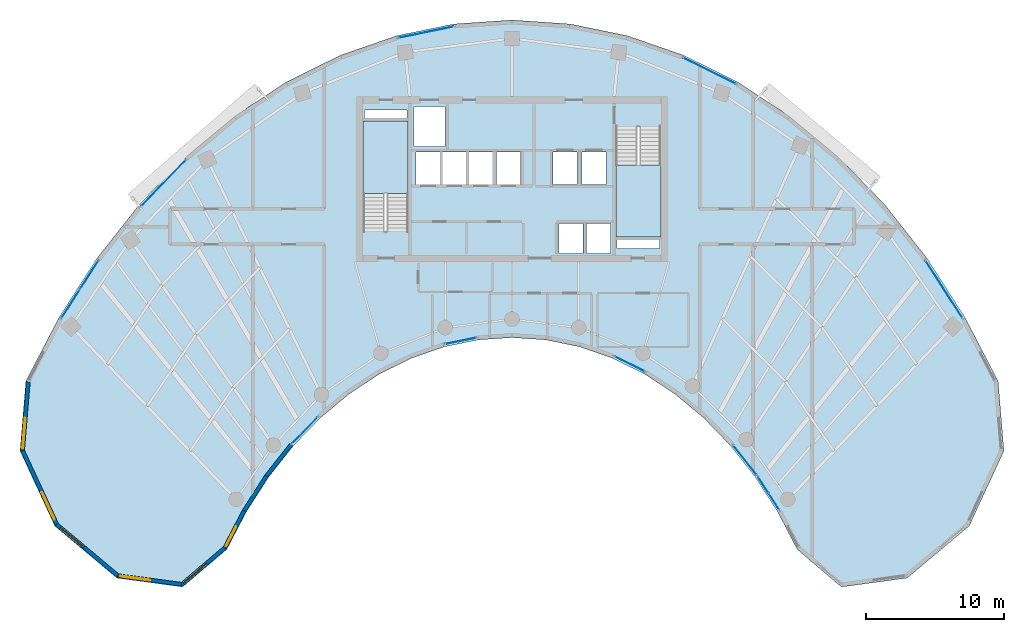
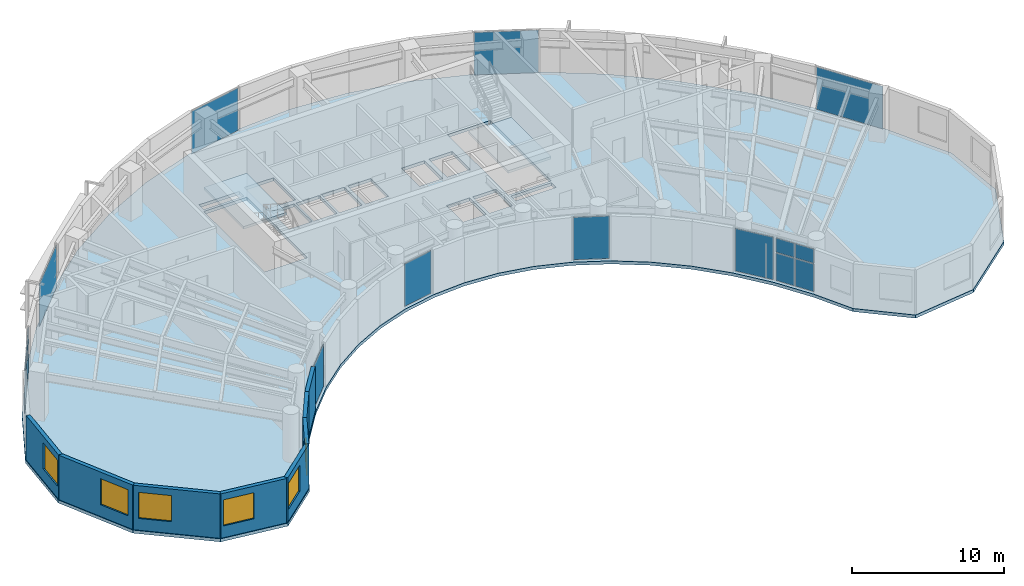
# One storey, part 7 of 13: 16 plates, 8 walls, 6 windows, 3 slabs, 6 openings, 12 elements without a shape of their own.
"""IFC4 building model written with IfcOpenShell, lengths in metres."""

import ifcopenshell
import ifcopenshell.guid

model = None  # the IFC model being written
_history = None  # IfcOwnerHistory: only IFC2X3 demands one
_inside = {}  # id of a spatial element -> (the spatial element, [elements in it])
_under = {}  # id of a project, library or spatial element -> (it, [spatial elements below it])
_declared = {}  # id of a project -> (the project, [libraries it declares])
_typed = {}  # id of a type object -> (the type object, [elements of that type])
_made_of = {}  # id of a material, layer set ... -> (it, [elements and type objects made of it])


def new_model(schema):
    """Start an empty IFC model of exactly this schema.

    Asked for "IFC4X3", IfcOpenShell would pick the latest addendum, in which some entities
    have other attributes; the version numbers below select the first issue.
    IFC2X3 requires an IfcOwnerHistory on every rooted entity: one is made here for all.
    """
    global model, _history
    if schema == "IFC4X3":
        model = ifcopenshell.file(schema_version=(4, 3, 0, 0))
    else:
        model = ifcopenshell.file(schema=schema)
    _inside.clear()
    _under.clear()
    _declared.clear()
    _typed.clear()
    _made_of.clear()
    _history = None
    if model.schema == "IFC2X3":
        org = make("IfcOrganization", Name="unknown")
        user = make(
            "IfcPersonAndOrganization",
            ThePerson=make("IfcPerson", FamilyName="unknown"),
            TheOrganization=org,
        )
        app = make(
            "IfcApplication",
            ApplicationDeveloper=org,
            Version="unknown",
            ApplicationFullName="unknown",
            ApplicationIdentifier="unknown",
        )
        _history = make(
            "IfcOwnerHistory",
            OwningUser=user,
            OwningApplication=app,
            ChangeAction="ADDED",
            CreationDate=0,
        )
    return model


def make(cls, **values):
    """One entity of the class cls with the attributes given. An attribute that is None is left unset."""
    return model.create_entity(
        cls, **{name: value for name, value in values.items() if value is not None}
    )


def rooted(cls, **values):
    """An entity with a GlobalId (a new one), such as an element, a storey or a relation."""
    return make(cls, GlobalId=ifcopenshell.guid.new(), OwnerHistory=_history, **values)


def si_unit(unit_type, name, prefix=None):
    """IfcSIUnit, for example si_unit("LENGTHUNIT", "METRE", prefix="MILLI")."""
    return make("IfcSIUnit", UnitType=unit_type, Prefix=prefix, Name=name)


def assignment(units):
    """IfcUnitAssignment: the units of a project."""
    return None if units is None else make("IfcUnitAssignment", Units=units)


def point(xyz):
    """IfcCartesianPoint."""
    return None if xyz is None else make("IfcCartesianPoint", Coordinates=xyz)


def direction(xyz):
    """IfcDirection."""
    return None if xyz is None else make("IfcDirection", DirectionRatios=xyz)


def frame(location, z_axis=None, x_axis=None):
    """IfcAxis2Placement3D, a coordinate frame: its origin and axes. An axis left out is left unset."""
    return make(
        "IfcAxis2Placement3D",
        Location=point(location),
        Axis=direction(z_axis),
        RefDirection=direction(x_axis),
    )


def frame_2d(location, x_axis=None):
    """IfcAxis2Placement2D, a coordinate frame in the plane: its origin and x axis."""
    return make(
        "IfcAxis2Placement2D", Location=point(location), RefDirection=direction(x_axis)
    )


def origin():
    """The frame at (0, 0, 0) with its axes left unset."""
    return frame((0.0, 0.0, 0.0))


def origin_2d():
    """The frame at (0, 0) in the plane with its x axis left unset."""
    return frame_2d((0.0, 0.0))


def place(relative_to, where):
    """IfcLocalPlacement: puts the frame where relative to a parent placement (None: the world)."""
    return make(
        "IfcLocalPlacement", PlacementRelTo=relative_to, RelativePlacement=where
    )


def context(
    kind, dimensions, precision=None, world=None, true_north=None, identifier=None
):
    """IfcGeometricRepresentationContext, for example the 3D "Model" context."""
    return make(
        "IfcGeometricRepresentationContext",
        ContextIdentifier=identifier,
        ContextType=kind,
        CoordinateSpaceDimension=dimensions,
        Precision=precision,
        WorldCoordinateSystem=world,
        TrueNorth=true_north,
    )


def subcontext(parent, identifier, kind, view, scale=None):
    """IfcGeometricRepresentationSubContext, for example "Body" below "Model"."""
    return make(
        "IfcGeometricRepresentationSubContext",
        ContextIdentifier=identifier,
        ContextType=kind,
        ParentContext=parent,
        TargetScale=scale,
        TargetView=view,
    )


def project(units=None, contexts=None):
    """IfcProject with its units and contexts."""
    return rooted(
        "IfcProject",
        Name="project",
        RepresentationContexts=contexts,
        UnitsInContext=assignment(units),
    )


def spatial(cls, under=None, at=None, **own):
    """A site, building, storey or space (cls), placed at a placement, below another one or the project."""
    s = rooted(cls, ObjectPlacement=at, **own)
    if under is not None:
        _under.setdefault(under.id(), (under, []))[1].append(s)
    return s


def polyline(points):
    """IfcPolyline through the points."""
    return make("IfcPolyline", Points=[point(p) for p in points])


def profile(cls, at=None, kind="AREA", **sizes):
    """A parametric profile (cls). Its sizes go by their IFC names, for example OverallWidth=200.0."""
    return make(cls, ProfileType=kind, Position=at, **sizes)


def rectangle(**sizes):
    """IfcRectangleProfileDef."""
    return profile("IfcRectangleProfileDef", **sizes)


def outline(outer, holes=None, kind="AREA"):
    """IfcArbitraryClosedProfileDef: a profile drawn as a closed curve; with holes, ...WithVoids."""
    if holes is None:
        return make("IfcArbitraryClosedProfileDef", ProfileType=kind, OuterCurve=outer)
    return make(
        "IfcArbitraryProfileDefWithVoids",
        ProfileType=kind,
        OuterCurve=outer,
        InnerCurves=holes,
    )


def extrude(swept, where, along, depth):
    """IfcExtrudedAreaSolid: the profile swept, set in the frame where, extruded along a direction by depth."""
    return make(
        "IfcExtrudedAreaSolid",
        SweptArea=swept,
        Position=where,
        ExtrudedDirection=direction(along),
        Depth=depth,
    )


def shape(context_of_items, identifier, shape_type, items):
    """IfcShapeRepresentation: the items that make up one representation, for example the "Body"."""
    return make(
        "IfcShapeRepresentation",
        ContextOfItems=context_of_items,
        RepresentationIdentifier=identifier,
        RepresentationType=shape_type,
        Items=items,
    )


def source(mapping_origin, context_of_items, identifier, shape_type, items):
    """IfcRepresentationMap: a shape defined once, which mapped items show again and again."""
    return make(
        "IfcRepresentationMap",
        MappingOrigin=mapping_origin,
        MappedRepresentation=shape(context_of_items, identifier, shape_type, items),
    )


def transform(
    local_origin,
    x_axis=None,
    y_axis=None,
    z_axis=None,
    scale=None,
    scale2=None,
    scale3=None,
    uniform=True,
):
    """IfcCartesianTransformationOperator3D, or its non-uniform kind. x_axis, y_axis, z_axis: its Axis1, 2, 3."""
    if uniform:
        return make(
            "IfcCartesianTransformationOperator3D",
            Axis1=direction(x_axis),
            Axis2=direction(y_axis),
            LocalOrigin=point(local_origin),
            Scale=scale,
            Axis3=direction(z_axis),
        )
    return make(
        "IfcCartesianTransformationOperator3DnonUniform",
        Axis1=direction(x_axis),
        Axis2=direction(y_axis),
        LocalOrigin=point(local_origin),
        Scale=scale,
        Axis3=direction(z_axis),
        Scale2=scale2,
        Scale3=scale3,
    )


def mapped(mapping_source, mapping_target):
    """IfcMappedItem: shows the shape of a source again, moved by a transform."""
    return make(
        "IfcMappedItem", MappingSource=mapping_source, MappingTarget=mapping_target
    )


def material(Name=None, Category=None):
    """IfcMaterial."""
    return make("IfcMaterial", Name=Name, Category=Category)


def layer(
    of_material, thickness, ventilated=None, Name=None, Category=None, Priority=None
):
    """IfcMaterialLayer: one layer of a wall or slab, of a material (None: an air gap)."""
    return make(
        "IfcMaterialLayer",
        Material=of_material,
        LayerThickness=thickness,
        IsVentilated=ventilated,
        Name=Name,
        Category=Category,
        Priority=Priority,
    )


def layer_set(layers, Name=None):
    """IfcMaterialLayerSet."""
    return make("IfcMaterialLayerSet", MaterialLayers=layers, LayerSetName=Name)


def made_of(thing, what):
    """Note that an element or type object is made of a material, layer set ...; save() writes the relation."""
    if what is not None:
        _made_of.setdefault(what.id(), (what, []))[1].append(thing)
    return thing


def type_object(cls, material=None, **own):
    """A type object (cls), such as IfcWallType, which elements share."""
    return made_of(rooted(cls, **own), material)


def type_shapes(of_type, sources):
    """Give a type object the sources (RepresentationMaps) that its elements show as mapped items."""
    of_type.RepresentationMaps = sources


def element(
    cls,
    number,
    at=None,
    inside=None,
    cuts=None,
    type_object=None,
    material=None,
    context=None,
    identifier="Body",
    shape_type=None,
    held_by="IfcProductDefinitionShape",
    body=None,
    shapes=None,
    **own,
):
    """One element of the class cls, such as IfcWall. Its Tag is "e" and its number.

    at: its placement. inside: the storey or other place that contains it. cuts: it is an
    opening in that element (IfcRelVoidsElement). A single representation is given by context,
    identifier, shape_type and body (its items); several are given by shapes. held_by: the class
    of the entity that holds the representations. save() writes the other relations.
    """
    e = rooted(cls, Tag="e%d" % number, ObjectPlacement=at, **own)
    if body is not None:
        shapes = [shape(context, identifier, shape_type, body)]
    if shapes is not None:
        e.Representation = make(held_by, Representations=shapes)
    if inside is not None:
        _inside.setdefault(inside.id(), (inside, []))[1].append(e)
    if cuts is not None:
        rooted(
            "IfcRelVoidsElement", RelatingBuildingElement=cuts, RelatedOpeningElement=e
        )
    if type_object is not None:
        _typed.setdefault(type_object.id(), (type_object, []))[1].append(e)
    return made_of(e, material)


def fill(opening, filler):
    """IfcRelFillsElement: the door or window that sits in an opening."""
    return rooted(
        "IfcRelFillsElement",
        RelatingOpeningElement=opening,
        RelatedBuildingElement=filler,
    )


def aggregate(whole, parts):
    """IfcRelAggregates: a whole, such as a stair, and the parts it consists of."""
    return rooted("IfcRelAggregates", RelatingObject=whole, RelatedObjects=parts)


def save(model, path):
    """Write the relations noted so far, then the file.

    IfcRelAggregates (storeys below a building ...), IfcRelContainedInSpatialStructure (elements
    in a storey), IfcRelDefinesByType, IfcRelAssociatesMaterial and IfcRelDeclares: one each for
    every whole, place, type object, material and project.
    """
    for whole, parts in _under.values():
        aggregate(whole, parts)
    for where, things in _inside.values():
        rooted(
            "IfcRelContainedInSpatialStructure",
            RelatedElements=things,
            RelatingStructure=where,
        )
    for kind, things in _typed.values():
        rooted("IfcRelDefinesByType", RelatedObjects=things, RelatingType=kind)
    for what, things in _made_of.values():
        rooted("IfcRelAssociatesMaterial", RelatedObjects=things, RelatingMaterial=what)
    for by, libraries in _declared.values():
        rooted("IfcRelDeclares", RelatingContext=by, RelatedDefinitions=libraries)
    model.write(path)


model = new_model("IFC4")

# Units and contexts
model_context = context("Model", 3, precision=1e-05, world=origin(), true_north=direction((0.0, 1.0)))
body_context = subcontext(model_context, "Body", "Model", "MODEL_VIEW")
ifc_project = project(units=[si_unit("LENGTHUNIT", "METRE"), si_unit("AREAUNIT", "SQUARE_METRE"), si_unit("VOLUMEUNIT", "CUBIC_METRE"), si_unit("PLANEANGLEUNIT", "RADIAN"), si_unit("MASSUNIT", "GRAM", prefix="KILO")], contexts=[model_context])

# Site, building, storey
site_placement = place(None, origin())
site = spatial("IfcSite", under=ifc_project, at=site_placement, CompositionType="ELEMENT")
building_placement = place(site_placement, origin())
building = spatial("IfcBuilding", under=site, at=building_placement, Name="Breltana Convention Tower", CompositionType="ELEMENT")
storey_placement = place(building_placement, frame((0.0, 0.0, 185.699951171875)))
storey = spatial("IfcBuildingStorey", under=building, at=storey_placement, Name="L45", CompositionType="ELEMENT", Elevation=185.699951171875)

# Slab
ifc_material_1 = material(Name="Concrete C40/50", Category="concrete")
ifc_layer_1 = layer(ifc_material_1, 0.25, Name="Concrete C40/50")
ifc_layer_set_1 = layer_set([ifc_layer_1], Name="Concrete C40/50")
slab_type_1 = type_object("IfcSlabType", Name="SL-OFF-250", PredefinedType="FLOOR", material=ifc_layer_set_1)
slab_1_placement = place(storey_placement, frame((0.0, 0.0, -0.25)))
element("IfcSlab", 1, at=slab_1_placement, inside=storey, type_object=slab_type_1, Name="L45 Suspended Structural Floor Slab", PredefinedType="FLOOR", context=body_context, shape_type="SweptSolid", body=[
    extrude(outline(polyline([(83.27880859375, 51.539794921875), (80.870361328125, 56.166015625), (78.12548828125, 60.442138671875), (75.072265625, 64.32470703125), (71.74169921875, 67.774169921875), (68.168212890625, 70.7548828125), (64.387939453125, 73.236328125), (60.440185546875, 75.193115234375), (56.36474609375, 76.60546875), (52.203857421875, 77.45849609375), (48.0, 77.743896484375), (43.796142578125, 77.45849609375), (39.63525390625, 76.60546875), (35.559814453125, 75.193115234375), (31.612060546875, 73.236328125), (27.831787109375, 70.7548828125), (24.25830078125, 67.774169921875), (20.927734375, 64.32470703125), (17.87451171875, 60.442138671875), (15.129638671875, 56.166015625), (12.72119140625, 51.539794921875), (12.298095703125, 46.4794921875), (14.822509765625, 41.019287109375), (19.329833984375, 37.2451171875), (24.098876953125, 36.598388671875), (27.3076171875, 39.326171875), (28.72021484375, 42.03955078125), (30.330078125, 44.5478515625), (32.12109375, 46.8251953125), (34.07470703125, 48.848388671875), (36.170654296875, 50.5966796875), (38.3876953125, 52.052001953125), (40.703369140625, 53.19970703125), (43.09375, 54.0283203125), (45.5341796875, 54.528564453125), (48.0, 54.696044921875), (50.4658203125, 54.528564453125), (52.90625, 54.0283203125), (55.296630859375, 53.19970703125), (57.6123046875, 52.052001953125), (59.829345703125, 50.5966796875), (61.92529296875, 48.848388671875), (63.87890625, 46.8251953125), (65.669921875, 44.5478515625), (67.27978515625, 42.03955078125), (68.6923828125, 39.326171875), (71.901123046875, 36.598388671875), (76.670166015625, 37.2451171875), (81.177490234375, 41.019287109375), (83.701904296875, 46.4794921875), (83.27880859375, 51.539794921875)]), holes=[polyline([(37.199951171875, 62.385009765625), (40.469970703125, 62.385009765625), (40.469970703125, 70.39990234375), (37.199951171875, 70.39990234375), (37.199951171875, 62.385009765625)]), polyline([(55.530029296875, 62.0), (58.800048828125, 62.0), (58.800048828125, 70.014892578125), (55.530029296875, 70.014892578125), (55.530029296875, 62.0)]), polyline([(51.39990234375, 60.800048828125), (53.159912109375, 60.800048828125), (53.159912109375, 62.97998046875), (51.39990234375, 62.97998046875), (51.39990234375, 60.800048828125)]), polyline([(53.39990234375, 60.800048828125), (55.159912109375, 60.800048828125), (55.159912109375, 62.97998046875), (53.39990234375, 62.97998046875), (53.39990234375, 60.800048828125)]), polyline([(41.0400390625, 65.820068359375), (42.800048828125, 65.820068359375), (42.800048828125, 68.179931640625), (41.0400390625, 68.179931640625), (41.0400390625, 65.820068359375)]), polyline([(42.93994140625, 65.820068359375), (44.699951171875, 65.820068359375), (44.699951171875, 68.179931640625), (42.93994140625, 68.179931640625), (42.93994140625, 65.820068359375)]), polyline([(44.8701171875, 65.820068359375), (46.6298828125, 65.820068359375), (46.6298828125, 68.179931640625), (44.8701171875, 68.179931640625), (44.8701171875, 65.820068359375)]), polyline([(46.8701171875, 65.820068359375), (48.6298828125, 65.820068359375), (48.6298828125, 68.179931640625), (46.8701171875, 68.179931640625), (46.8701171875, 65.820068359375)]), polyline([(50.969970703125, 65.800048828125), (52.72998046875, 65.800048828125), (52.72998046875, 68.179931640625), (50.969970703125, 68.179931640625), (50.969970703125, 65.800048828125)]), polyline([(53.070068359375, 65.800048828125), (54.830078125, 65.800048828125), (54.830078125, 68.179931640625), (53.070068359375, 68.179931640625), (53.070068359375, 65.800048828125)]), polyline([(40.8798828125, 68.550048828125), (43.1201171875, 68.550048828125), (43.1201171875, 71.449951171875), (40.8798828125, 71.449951171875), (40.8798828125, 68.550048828125)]), polyline([(37.300048828125, 70.60009765625), (40.3798828125, 70.60009765625), (40.3798828125, 71.219970703125), (37.300048828125, 71.219970703125), (37.300048828125, 70.60009765625)]), polyline([(55.6201171875, 61.179931640625), (58.699951171875, 61.179931640625), (58.699951171875, 61.800048828125), (55.6201171875, 61.800048828125), (55.6201171875, 61.179931640625)])]), origin(), (0.0, 0.0, 1.0), 0.25),
])

# Stair, slab
stair_type = type_object("IfcStairType", Name="ST-DOG-1560-R177", PredefinedType="HALF_TURN_STAIR", material=ifc_material_1)
stair_1_placement = place(storey_placement, origin())
stair_1 = element("IfcStair", 2, at=stair_1_placement, inside=storey, type_object=stair_type, Name="L45 Protected Core Exit Stair ST-1", PredefinedType="HALF_TURN_STAIR")
ifc_layer_2 = layer(ifc_material_1, 0.199951171875, Name="Concrete C40/50")
ifc_layer_set_2 = layer_set([ifc_layer_2], Name="Concrete C40/50")
slab_type_2 = type_object("IfcSlabType", Name="SL-STAIR-LANDING-200", PredefinedType="LANDING", material=ifc_layer_set_2)
slab_2_placement = place(storey_placement, frame((0.0, 0.0, 1.75)))
slab_2 = element("IfcSlab", 3, at=slab_2_placement, type_object=slab_type_2, Name="ST-1 landing 1", PredefinedType="LANDING", context=body_context, shape_type="SweptSolid", body=[
    extrude(outline(polyline([(40.469970703125, 65.159912109375), (40.469970703125, 70.39990234375), (37.199951171875, 70.39990234375), (37.199951171875, 65.159912109375), (40.469970703125, 65.159912109375)])), origin(), (0.0, 0.0, 1.0), 0.199951171875),
])
aggregate(stair_1, [slab_2])

stair_2_placement = place(storey_placement, origin())
stair_2 = element("IfcStair", 4, at=stair_2_placement, inside=storey, type_object=stair_type, Name="L45 Protected Core Exit Stair ST-2", PredefinedType="HALF_TURN_STAIR")
slab_3_placement = place(storey_placement, frame((0.0, 0.0, 1.75)))
slab_3 = element("IfcSlab", 5, at=slab_3_placement, type_object=slab_type_2, Name="ST-2 landing 1", PredefinedType="LANDING", context=body_context, shape_type="SweptSolid", body=[
    extrude(outline(polyline([(55.530029296875, 67.239990234375), (55.530029296875, 62.0), (58.800048828125, 62.0), (58.800048828125, 67.239990234375), (55.530029296875, 67.239990234375)])), origin(), (0.0, 0.0, 1.0), 0.199951171875),
])
aggregate(stair_2, [slab_3])

# Curtain wall, plates
ifc_material_2 = material(Name="Aluminium Anodised Bronze Frame", Category="aluminium")
ifc_layer_3 = layer(ifc_material_2, 0.18994140625, Name="Aluminium Anodised Bronze Frame")
ifc_layer_set_3 = layer_set([ifc_layer_3], Name="Aluminium Anodised Bronze Frame")
curtain_wall_type_1 = type_object("IfcCurtainWallType", Name="CW-SYS-1", PredefinedType="NOTDEFINED", material=ifc_layer_set_3)
curtain_wall_1_placement = place(storey_placement, origin())
curtain_wall_1 = element("IfcCurtainWall", 6, at=curtain_wall_1_placement, inside=storey, type_object=curtain_wall_type_1, Name="L45 inner south-court glazing 1", PredefinedType="NOTDEFINED")
ifc_material_3 = material(Name="Glass Low-E Double Glazing", Category="glass")
ifc_layer_4 = layer(ifc_material_3, 0.028076171875, Name="Glass Low-E Double Glazing")
ifc_layer_set_4 = layer_set([ifc_layer_4], Name="Glass Low-E Double Glazing")
plate_type = type_object("IfcPlateType", Name="CWP-IGU-28", PredefinedType="CURTAIN_PANEL", material=ifc_layer_set_4)
shared_shape_1 = source(origin(), body_context, "Body", "SweptSolid", [
    extrude(rectangle(XDim=1.3701171875, YDim=0.028076171875, at=origin_2d()), origin(), (0.0, 0.0, 1.0), 2.20703125),
])
plate_1_placement = place(storey_placement, frame((67.01806640625, 42.78076171875, 0.080078125), z_axis=(0.0, 0.0, 1.0), x_axis=(-0.540184298954, 0.841546744491, 0.0)))
plate_1 = element("IfcPlate", 7, at=plate_1_placement, type_object=plate_type, Name="CW-01 panel 1.1", PredefinedType="CURTAIN_PANEL", context=body_context, shape_type="MappedRepresentation", body=[
    mapped(shared_shape_1, transform((0.0, 0.0, 0.0), scale=1.0)),
])
plate_2_placement = place(storey_placement, frame((66.234619140625, 44.001220703125, 0.080078125), z_axis=(0.0, 0.0, 1.0), x_axis=(-0.540184298954, 0.841546744491, 0.0)))
plate_2 = element("IfcPlate", 8, at=plate_2_placement, type_object=plate_type, Name="CW-01 panel 2.1", PredefinedType="CURTAIN_PANEL", context=body_context, shape_type="MappedRepresentation", body=[
    mapped(shared_shape_1, transform((0.0, 0.0, 0.0), scale=1.0)),
])
shared_shape_2 = source(origin(), body_context, "Body", "SweptSolid", [
    extrude(rectangle(XDim=1.3701171875, YDim=0.028076171875, at=origin_2d()), origin(), (0.0, 0.0, 1.0), 1.133056640625),
])
plate_3_placement = place(storey_placement, frame((67.01806640625, 42.78076171875, 2.3671875), z_axis=(0.0, 0.0, 1.0), x_axis=(-0.540184298954, 0.841546744491, 0.0)))
plate_3 = element("IfcPlate", 9, at=plate_3_placement, type_object=plate_type, Name="CW-01 panel 1.2", PredefinedType="CURTAIN_PANEL", context=body_context, shape_type="MappedRepresentation", body=[
    mapped(shared_shape_2, transform((0.0, 0.0, 0.0), scale=1.0)),
])
plate_4_placement = place(storey_placement, frame((66.234619140625, 44.001220703125, 2.3671875), z_axis=(0.0, 0.0, 1.0), x_axis=(-0.540184298954, 0.841546744491, 0.0)))
plate_4 = element("IfcPlate", 10, at=plate_4_placement, type_object=plate_type, Name="CW-01 panel 2.2", PredefinedType="CURTAIN_PANEL", context=body_context, shape_type="MappedRepresentation", body=[
    mapped(shared_shape_2, transform((0.0, 0.0, 0.0), scale=1.0)),
])
aggregate(curtain_wall_1, [plate_1, plate_3, plate_2, plate_4])

# Curtain wall, plate
curtain_wall_2_placement = place(storey_placement, origin())
curtain_wall_2 = element("IfcCurtainWall", 11, at=curtain_wall_2_placement, inside=storey, type_object=curtain_wall_type_1, Name="L45 inner south-court glazing 2", PredefinedType="NOTDEFINED")
shared_shape_3 = source(origin(), body_context, "Body", "SweptSolid", [
    extrude(rectangle(XDim=2.737060546875, YDim=0.028076171875, at=origin_2d()), origin(), (0.0, 0.0, 1.0), 3.419921875),
])
plate_5_placement = place(storey_placement, frame((64.915771484375, 45.7978515625, 0.080078125), z_axis=(0.0, 0.0, 1.0), x_axis=(-0.618161435717, 0.786051168431, 0.0)))
plate_5 = element("IfcPlate", 12, at=plate_5_placement, type_object=plate_type, Name="CW-01 panel 1.1", PredefinedType="CURTAIN_PANEL", context=body_context, shape_type="MappedRepresentation", body=[
    mapped(shared_shape_3, transform((0.0, 0.0, 0.0), scale=1.0)),
])
aggregate(curtain_wall_2, [plate_5])

curtain_wall_3_placement = place(storey_placement, origin())
curtain_wall_3 = element("IfcCurtainWall", 13, at=curtain_wall_3_placement, inside=storey, type_object=curtain_wall_type_1, Name="L45 inner south-court glazing 3", PredefinedType="NOTDEFINED")
shared_shape_4 = source(origin(), body_context, "Body", "SweptSolid", [
    extrude(rectangle(XDim=2.424560546875, YDim=0.028076171875, at=origin_2d()), origin(), (0.0, 0.0, 1.0), 3.419921875),
])
plate_6_placement = place(storey_placement, frame((56.5341796875, 52.787109375, 0.080078125), z_axis=(0.0, 0.0, 1.0), x_axis=(-0.895969545082, 0.444115496562, 0.0)))
plate_6 = element("IfcPlate", 14, at=plate_6_placement, type_object=plate_type, Name="CW-01 panel 1.1", PredefinedType="CURTAIN_PANEL", context=body_context, shape_type="MappedRepresentation", body=[
    mapped(shared_shape_4, transform((0.0, 0.0, 0.0), scale=1.0)),
])
aggregate(curtain_wall_3, [plate_6])

curtain_wall_4_placement = place(storey_placement, origin())
curtain_wall_4 = element("IfcCurtainWall", 15, at=curtain_wall_4_placement, inside=storey, type_object=curtain_wall_type_1, Name="L45 inner south-court glazing 4", PredefinedType="NOTDEFINED")
shared_shape_5 = source(origin(), body_context, "Body", "SweptSolid", [
    extrude(rectangle(XDim=2.331298828125, YDim=0.028076171875, at=origin_2d()), origin(), (0.0, 0.0, 1.0), 3.419921875),
])
plate_7_placement = place(storey_placement, frame((44.27783203125, 54.45458984375, 0.080078125), z_axis=(0.0, 0.0, 1.0), x_axis=(-0.979619715529, -0.200861178299, 0.0)))
plate_7 = element("IfcPlate", 16, at=plate_7_placement, type_object=plate_type, Name="CW-01 panel 1.1", PredefinedType="CURTAIN_PANEL", context=body_context, shape_type="MappedRepresentation", body=[
    mapped(shared_shape_5, transform((0.0, 0.0, 0.0), scale=1.0)),
])
aggregate(curtain_wall_4, [plate_7])

curtain_wall_5_placement = place(storey_placement, origin())
curtain_wall_5 = element("IfcCurtainWall", 17, at=curtain_wall_5_placement, inside=storey, type_object=curtain_wall_type_1, Name="L45 inner south-court glazing 5", PredefinedType="NOTDEFINED")
shared_shape_6 = source(origin(), body_context, "Body", "SweptSolid", [
    extrude(rectangle(XDim=2.65234375, YDim=0.028076171875, at=origin_2d()), origin(), (0.0, 0.0, 1.0), 3.419921875),
])
plate_8_placement = place(storey_placement, frame((32.96826171875, 47.961669921875, 0.080078125), z_axis=(0.0, 0.0, 1.0), x_axis=(-0.694606570168, -0.719389819694, 0.0)))
plate_8 = element("IfcPlate", 18, at=plate_8_placement, type_object=plate_type, Name="CW-01 panel 1.1", PredefinedType="CURTAIN_PANEL", context=body_context, shape_type="MappedRepresentation", body=[
    mapped(shared_shape_6, transform((0.0, 0.0, 0.0), scale=1.0)),
])
aggregate(curtain_wall_5, [plate_8])

# Curtain wall, plates
ifc_layer_5 = layer(ifc_material_2, 0.2099609375, Name="Aluminium Anodised Bronze Frame")
ifc_layer_set_5 = layer_set([ifc_layer_5], Name="Aluminium Anodised Bronze Frame")
curtain_wall_type_2 = type_object("IfcCurtainWallType", Name="CW-SYS-3", PredefinedType="NOTDEFINED", material=ifc_layer_set_5)
curtain_wall_6_placement = place(storey_placement, origin())
curtain_wall_6 = element("IfcCurtainWall", 19, at=curtain_wall_6_placement, inside=storey, type_object=curtain_wall_type_2, Name="L45 outer double-skin inner glazing 1", PredefinedType="NOTDEFINED")
shared_shape_7 = source(origin(), body_context, "Body", "SweptSolid", [
    extrude(rectangle(XDim=2.42724609375, YDim=0.028076171875, at=origin_2d()), origin(), (0.0, 0.0, 1.0), 2.20703125),
])
plate_9_placement = place(storey_placement, frame((15.97900390625, 57.15576171875, 0.080078125), z_axis=(0.0, 0.0, 1.0), x_axis=(0.54017267843, 0.841554203529, 0.0)))
plate_9 = element("IfcPlate", 20, at=plate_9_placement, type_object=plate_type, Name="CW-03 panel 1.1", PredefinedType="CURTAIN_PANEL", context=body_context, shape_type="MappedRepresentation", body=[
    mapped(shared_shape_7, transform((0.0, 0.0, 0.0), scale=1.0)),
])
plate_10_placement = place(storey_placement, frame((17.327880859375, 59.25732421875, 0.080078125), z_axis=(0.0, 0.0, 1.0), x_axis=(0.54017267843, 0.841554203529, 0.0)))
plate_10 = element("IfcPlate", 21, at=plate_10_placement, type_object=plate_type, Name="CW-03 panel 2.1", PredefinedType="CURTAIN_PANEL", context=body_context, shape_type="MappedRepresentation", body=[
    mapped(shared_shape_7, transform((0.0, 0.0, 0.0), scale=1.0)),
])
shared_shape_8 = source(origin(), body_context, "Body", "SweptSolid", [
    extrude(rectangle(XDim=2.42724609375, YDim=0.028076171875, at=origin_2d()), origin(), (0.0, 0.0, 1.0), 1.133056640625),
])
plate_11_placement = place(storey_placement, frame((15.97900390625, 57.15576171875, 2.3671875), z_axis=(0.0, 0.0, 1.0), x_axis=(0.54017267843, 0.841554203529, 0.0)))
plate_11 = element("IfcPlate", 22, at=plate_11_placement, type_object=plate_type, Name="CW-03 panel 1.2", PredefinedType="CURTAIN_PANEL", context=body_context, shape_type="MappedRepresentation", body=[
    mapped(shared_shape_8, transform((0.0, 0.0, 0.0), scale=1.0)),
])
plate_12_placement = place(storey_placement, frame((17.327880859375, 59.25732421875, 2.3671875), z_axis=(0.0, 0.0, 1.0), x_axis=(0.54017267843, 0.841554203529, 0.0)))
plate_12 = element("IfcPlate", 23, at=plate_12_placement, type_object=plate_type, Name="CW-03 panel 2.2", PredefinedType="CURTAIN_PANEL", context=body_context, shape_type="MappedRepresentation", body=[
    mapped(shared_shape_8, transform((0.0, 0.0, 0.0), scale=1.0)),
])
aggregate(curtain_wall_6, [plate_9, plate_11, plate_10, plate_12])

# Curtain wall, plate
curtain_wall_7_placement = place(storey_placement, origin())
curtain_wall_7 = element("IfcCurtainWall", 24, at=curtain_wall_7_placement, inside=storey, type_object=curtain_wall_type_2, Name="L45 outer double-skin inner glazing 2", PredefinedType="NOTDEFINED")
shared_shape_9 = source(origin(), body_context, "Body", "SweptSolid", [
    extrude(rectangle(XDim=4.635986328125, YDim=0.028076171875, at=origin_2d()), origin(), (0.0, 0.0, 1.0), 3.419921875),
])
plate_13_placement = place(storey_placement, frame((22.722412109375, 65.92431640625, 0.080078125), z_axis=(0.0, 0.0, 1.0), x_axis=(0.694602734297, 0.719393523398, 0.0)))
plate_13 = element("IfcPlate", 25, at=plate_13_placement, type_object=plate_type, Name="CW-03 panel 1.1", PredefinedType="CURTAIN_PANEL", context=body_context, shape_type="MappedRepresentation", body=[
    mapped(shared_shape_9, transform((0.0, 0.0, 0.0), scale=1.0)),
])
aggregate(curtain_wall_7, [plate_13])

curtain_wall_8_placement = place(storey_placement, origin())
curtain_wall_8 = element("IfcCurtainWall", 26, at=curtain_wall_8_placement, inside=storey, type_object=curtain_wall_type_2, Name="L45 outer double-skin inner glazing 3", PredefinedType="NOTDEFINED")
shared_shape_10 = source(origin(), body_context, "Body", "SweptSolid", [
    extrude(rectangle(XDim=4.08349609375, YDim=0.028076171875, at=origin_2d()), origin(), (0.0, 0.0, 1.0), 3.419921875),
])
plate_14_placement = place(storey_placement, frame((41.751708984375, 76.855712890625, 0.080078125), z_axis=(0.0, 0.0, 1.0), x_axis=(0.979616560993, 0.200876562668, 0.0)))
plate_14 = element("IfcPlate", 27, at=plate_14_placement, type_object=plate_type, Name="CW-03 panel 1.1", PredefinedType="CURTAIN_PANEL", context=body_context, shape_type="MappedRepresentation", body=[
    mapped(shared_shape_10, transform((0.0, 0.0, 0.0), scale=1.0)),
])
aggregate(curtain_wall_8, [plate_14])

curtain_wall_9_placement = place(storey_placement, origin())
curtain_wall_9 = element("IfcCurtainWall", 28, at=curtain_wall_9_placement, inside=storey, type_object=curtain_wall_type_2, Name="L45 outer double-skin inner glazing 4", PredefinedType="NOTDEFINED")
shared_shape_11 = source(origin(), body_context, "Body", "SweptSolid", [
    extrude(rectangle(XDim=4.243896484375, YDim=0.028076171875, at=origin_2d()), origin(), (0.0, 0.0, 1.0), 3.419921875),
])
plate_15_placement = place(storey_placement, frame((62.334228515625, 74.053466796875, 0.080078125), z_axis=(0.0, 0.0, 1.0), x_axis=(0.895968385619, -0.444117835682, 0.0)))
plate_15 = element("IfcPlate", 29, at=plate_15_placement, type_object=plate_type, Name="CW-03 panel 1.1", PredefinedType="CURTAIN_PANEL", context=body_context, shape_type="MappedRepresentation", body=[
    mapped(shared_shape_11, transform((0.0, 0.0, 0.0), scale=1.0)),
])
aggregate(curtain_wall_9, [plate_15])

curtain_wall_10_placement = place(storey_placement, origin())
curtain_wall_10 = element("IfcCurtainWall", 30, at=curtain_wall_10_placement, inside=storey, type_object=curtain_wall_type_2, Name="L45 outer double-skin inner glazing 5", PredefinedType="NOTDEFINED")
shared_shape_12 = source(origin(), body_context, "Body", "SweptSolid", [
    extrude(rectangle(XDim=4.924560546875, YDim=0.028076171875, at=origin_2d()), origin(), (0.0, 0.0, 1.0), 3.419921875),
])
plate_16_placement = place(storey_placement, frame((79.3466796875, 58.20654296875, 0.080078125), z_axis=(0.0, 0.0, 1.0), x_axis=(0.54017267843, -0.841554203529, 0.0)))
plate_16 = element("IfcPlate", 31, at=plate_16_placement, type_object=plate_type, Name="CW-03 panel 1.1", PredefinedType="CURTAIN_PANEL", context=body_context, shape_type="MappedRepresentation", body=[
    mapped(shared_shape_12, transform((0.0, 0.0, 0.0), scale=1.0)),
])
aggregate(curtain_wall_10, [plate_16])

# Wall, opening, window
ifc_material_4 = material(Name="Limestone Buff Insulated Wall", Category="masonry")
ifc_layer_6 = layer(ifc_material_4, 0.280029296875, Name="Limestone Buff Insulated Wall")
ifc_layer_set_6 = layer_set([ifc_layer_6], Name="Limestone Buff Insulated Wall")
wall_type = type_object("IfcWallType", Name="WL-EXT-NOSE-280", PredefinedType="SOLIDWALL", material=ifc_layer_set_6)
shared_shape_13 = source(origin(), body_context, "Body", "SweptSolid", [
    extrude(rectangle(XDim=4.994384765625, YDim=0.280029296875, at=frame_2d((2.4970703125, 0.0))), origin(), (0.0, 0.0, 1.0), 3.580078125),
])
wall_1_placement = place(storey_placement, frame((12.4814453125, 46.51171875, 0.0), z_axis=(0.0, 0.0, 1.0), x_axis=(0.083344839916, 0.996520766296, 0.0)))
wall_1 = element("IfcWall", 32, at=wall_1_placement, inside=storey, type_object=wall_type, Name="L45 curved limestone nose wall W6", PredefinedType="SOLIDWALL", context=body_context, shape_type="MappedRepresentation", body=[
    mapped(shared_shape_13, transform((0.0, 0.0, 0.0), scale=1.0)),
])
opening_1_placement = place(wall_1_placement, frame((0.159912109375, 0.0, 0.949951171875)))
opening_1 = element("IfcOpeningElement", 33, at=opening_1_placement, cuts=wall_1, Name="Opening W-03", PredefinedType="OPENING", context=body_context, shape_type="SweptSolid", body=[
    extrude(rectangle(XDim=2.199951171875, YDim=2.10009765625, at=frame_2d((1.10009765625, 1.050048828125))), frame((0.0, 0.14990234375, 0.0), z_axis=(0.0, -1.0, 0.0), x_axis=(1.0, 0.0, 0.0)), (0.0, 0.0, 1.0), 0.300048828125),
])
ifc_material_5 = material(Name="Glass Low-E Insulated Window", Category="glass")
window_type_1 = type_object("IfcWindowType", Name="WN-NOSE-2200X2100", PartitioningType="TRIPLE_PANEL_VERTICAL", PredefinedType="WINDOW", material=ifc_material_5)
shared_shape_14 = source(origin(), body_context, "Body", "SweptSolid", [
    extrude(rectangle(XDim=2.199951171875, YDim=2.10009765625, at=frame_2d((1.10009765625, 1.050048828125))), frame((0.0, 0.030029296875, 0.0), z_axis=(0.0, -1.0, 0.0), x_axis=(1.0, 0.0, 0.0)), (0.0, 0.0, 1.0), 0.06005859375),
])
type_shapes(window_type_1, [shared_shape_14])
window_1_placement = place(opening_1_placement, origin())
window_1 = element("IfcWindow", 34, at=window_1_placement, inside=storey, type_object=window_type_1, Name="L45 nose window W6", OverallHeight=2.10009765625, OverallWidth=2.199951171875, PartitioningType="TRIPLE_PANEL_VERTICAL", PredefinedType="WINDOW", context=body_context, shape_type="MappedRepresentation", body=[
    mapped(shared_shape_14, transform((0.0, 0.0, 0.0), scale=1.0)),
])
fill(opening_1, window_1)

shared_shape_15 = source(origin(), body_context, "Body", "SweptSolid", [
    extrude(rectangle(XDim=5.927490234375, YDim=0.280029296875, at=frame_2d((2.9638671875, 0.0))), origin(), (0.0, 0.0, 1.0), 3.580078125),
])
wall_2_placement = place(storey_placement, frame((14.968994140625, 41.13134765625, 0.0), z_axis=(0.0, 0.0, 1.0), x_axis=(-0.419656204795, 0.907683132914, 0.0)))
wall_2 = element("IfcWall", 35, at=wall_2_placement, inside=storey, type_object=wall_type, Name="L45 curved limestone nose wall W5", PredefinedType="SOLIDWALL", context=body_context, shape_type="MappedRepresentation", body=[
    mapped(shared_shape_15, transform((0.0, 0.0, 0.0), scale=1.0)),
])
opening_2_placement = place(wall_2_placement, frame((0.3818359375, 0.0, 0.949951171875)))
opening_2 = element("IfcOpeningElement", 36, at=opening_2_placement, cuts=wall_2, Name="Opening W-03", PredefinedType="OPENING", context=body_context, shape_type="SweptSolid", body=[
    extrude(rectangle(XDim=2.199951171875, YDim=2.10009765625, at=frame_2d((1.10009765625, 1.050048828125))), frame((0.0, 0.14990234375, 0.0), z_axis=(0.0, -1.0, 0.0), x_axis=(1.0, 0.0, 0.0)), (0.0, 0.0, 1.0), 0.300048828125),
])
window_2_placement = place(opening_2_placement, origin())
window_2 = element("IfcWindow", 37, at=window_2_placement, inside=storey, type_object=window_type_1, Name="L45 nose window W5", OverallHeight=2.10009765625, OverallWidth=2.199951171875, PartitioningType="TRIPLE_PANEL_VERTICAL", PredefinedType="WINDOW", context=body_context, shape_type="MappedRepresentation", body=[
    mapped(shared_shape_14, transform((0.0, 0.0, 0.0), scale=1.0)),
])
fill(opening_2, window_2)

shared_shape_16 = source(origin(), body_context, "Body", "SweptSolid", [
    extrude(rectangle(XDim=5.786376953125, YDim=0.280029296875, at=frame_2d((2.89306640625, 0.0))), origin(), (0.0, 0.0, 1.0), 3.580078125),
])
wall_3_placement = place(storey_placement, frame((19.405517578125, 37.41650390625, 0.0), z_axis=(0.0, 0.0, 1.0), x_axis=(-0.766711306852, 0.641992034176, 0.0)))
wall_3 = element("IfcWall", 38, at=wall_3_placement, inside=storey, type_object=wall_type, Name="L45 curved limestone nose wall W4", PredefinedType="SOLIDWALL", context=body_context, shape_type="MappedRepresentation", body=[
    mapped(shared_shape_16, transform((0.0, 0.0, 0.0), scale=1.0)),
])
opening_3_placement = place(wall_3_placement, frame((3.239990234375, 0.0, 0.949951171875)))
opening_3 = element("IfcOpeningElement", 39, at=opening_3_placement, cuts=wall_3, Name="Opening W-03", PredefinedType="OPENING", context=body_context, shape_type="SweptSolid", body=[
    extrude(rectangle(XDim=2.199951171875, YDim=2.10009765625, at=frame_2d((1.10009765625, 1.050048828125))), frame((0.0, 0.14990234375, 0.0), z_axis=(0.0, -1.0, 0.0), x_axis=(1.0, 0.0, 0.0)), (0.0, 0.0, 1.0), 0.300048828125),
])
window_3_placement = place(opening_3_placement, origin())
window_3 = element("IfcWindow", 40, at=window_3_placement, inside=storey, type_object=window_type_1, Name="L45 nose window W4", OverallHeight=2.10009765625, OverallWidth=2.199951171875, PartitioningType="TRIPLE_PANEL_VERTICAL", PredefinedType="WINDOW", context=body_context, shape_type="MappedRepresentation", body=[
    mapped(shared_shape_14, transform((0.0, 0.0, 0.0), scale=1.0)),
])
fill(opening_3, window_3)

shared_shape_17 = source(origin(), body_context, "Body", "SweptSolid", [
    extrude(rectangle(XDim=4.680419921875, YDim=0.280029296875, at=frame_2d((2.34033203125, 0.0))), origin(), (0.0, 0.0, 1.0), 3.580078125),
])
wall_4_placement = place(storey_placement, frame((24.04345703125, 36.78759765625, 0.0), z_axis=(0.0, 0.0, 1.0), x_axis=(-0.990931146435, 0.134370618162, 0.0)))
wall_4 = element("IfcWall", 41, at=wall_4_placement, inside=storey, type_object=wall_type, Name="L45 curved limestone nose wall W3", PredefinedType="SOLIDWALL", context=body_context, shape_type="MappedRepresentation", body=[
    mapped(shared_shape_17, transform((0.0, 0.0, 0.0), scale=1.0)),
])
opening_4_placement = place(wall_4_placement, frame((2.3203125, 0.0, 0.949951171875)))
opening_4 = element("IfcOpeningElement", 42, at=opening_4_placement, cuts=wall_4, Name="Opening W-03", PredefinedType="OPENING", context=body_context, shape_type="SweptSolid", body=[
    extrude(rectangle(XDim=2.199951171875, YDim=2.10009765625, at=frame_2d((1.10009765625, 1.050048828125))), frame((0.0, 0.14990234375, 0.0), z_axis=(0.0, -1.0, 0.0), x_axis=(1.0, 0.0, 0.0)), (0.0, 0.0, 1.0), 0.300048828125),
])
window_4_placement = place(opening_4_placement, origin())
window_4 = element("IfcWindow", 43, at=window_4_placement, inside=storey, type_object=window_type_1, Name="L45 nose window W3", OverallHeight=2.10009765625, OverallWidth=2.199951171875, PartitioningType="TRIPLE_PANEL_VERTICAL", PredefinedType="WINDOW", context=body_context, shape_type="MappedRepresentation", body=[
    mapped(shared_shape_14, transform((0.0, 0.0, 0.0), scale=1.0)),
])
fill(opening_4, window_4)

shared_shape_18 = source(origin(), body_context, "Body", "SweptSolid", [
    extrude(rectangle(XDim=4.095947265625, YDim=0.280029296875, at=frame_2d((2.0478515625, 0.0))), origin(), (0.0, 0.0, 1.0), 3.580078125),
])
wall_5_placement = place(storey_placement, frame((27.164306640625, 39.4404296875, 0.0), z_axis=(0.0, 0.0, 1.0), x_axis=(-0.761926081737, -0.647663991564, 0.0)))
wall_5 = element("IfcWall", 44, at=wall_5_placement, inside=storey, type_object=wall_type, Name="L45 curved limestone nose wall W2", PredefinedType="SOLIDWALL", context=body_context, shape_type="MappedRepresentation", body=[
    mapped(shared_shape_18, transform((0.0, 0.0, 0.0), scale=1.0)),
])
opening_5_placement = place(wall_5_placement, frame((1.736083984375, 0.0, 0.949951171875)))
opening_5 = element("IfcOpeningElement", 45, at=opening_5_placement, cuts=wall_5, Name="Opening W-03", PredefinedType="OPENING", context=body_context, shape_type="SweptSolid", body=[
    extrude(rectangle(XDim=2.199951171875, YDim=2.10009765625, at=frame_2d((1.10009765625, 1.050048828125))), frame((0.0, 0.14990234375, 0.0), z_axis=(0.0, -1.0, 0.0), x_axis=(1.0, 0.0, 0.0)), (0.0, 0.0, 1.0), 0.300048828125),
])
window_5_placement = place(opening_5_placement, origin())
window_5 = element("IfcWindow", 46, at=window_5_placement, inside=storey, type_object=window_type_1, Name="L45 nose window W2", OverallHeight=2.10009765625, OverallWidth=2.199951171875, PartitioningType="TRIPLE_PANEL_VERTICAL", PredefinedType="WINDOW", context=body_context, shape_type="MappedRepresentation", body=[
    mapped(shared_shape_14, transform((0.0, 0.0, 0.0), scale=1.0)),
])
fill(opening_5, window_5)

shared_shape_19 = source(origin(), body_context, "Body", "SweptSolid", [
    extrude(rectangle(XDim=3.02392578125, YDim=0.280029296875, at=frame_2d((1.511962890625, 0.0))), origin(), (0.0, 0.0, 1.0), 3.580078125),
])
wall_6_placement = place(storey_placement, frame((28.560546875, 42.122802734375, 0.0), z_axis=(0.0, 0.0, 1.0), x_axis=(-0.461718746531, -0.887026380161, 0.0)))
wall_6 = element("IfcWall", 47, at=wall_6_placement, inside=storey, type_object=wall_type, Name="L45 curved limestone nose wall W1", PredefinedType="SOLIDWALL", context=body_context, shape_type="MappedRepresentation", body=[
    mapped(shared_shape_19, transform((0.0, 0.0, 0.0), scale=1.0)),
])
opening_6_placement = place(wall_6_placement, frame((1.263916015625, 0.0, 0.949951171875)))
opening_6 = element("IfcOpeningElement", 48, at=opening_6_placement, cuts=wall_6, Name="Opening W-04", PredefinedType="OPENING", context=body_context, shape_type="SweptSolid", body=[
    extrude(rectangle(XDim=1.60009765625, YDim=1.89990234375, at=frame_2d((0.800048828125, 0.949951171875))), frame((0.0, 0.14990234375, 0.0), z_axis=(0.0, -1.0, 0.0), x_axis=(1.0, 0.0, 0.0)), (0.0, 0.0, 1.0), 0.300048828125),
])
window_type_2 = type_object("IfcWindowType", Name="WN-NOSE-1600X1900", PartitioningType="SINGLE_PANEL", PredefinedType="WINDOW", material=ifc_material_5)
shared_shape_20 = source(origin(), body_context, "Body", "SweptSolid", [
    extrude(rectangle(XDim=1.60009765625, YDim=1.89990234375, at=frame_2d((0.800048828125, 0.949951171875))), frame((0.0, 0.030029296875, 0.0), z_axis=(0.0, -1.0, 0.0), x_axis=(1.0, 0.0, 0.0)), (0.0, 0.0, 1.0), 0.06005859375),
])
type_shapes(window_type_2, [shared_shape_20])
window_6_placement = place(opening_6_placement, origin())
window_6 = element("IfcWindow", 49, at=window_6_placement, inside=storey, type_object=window_type_2, Name="L45 nose window W1", OverallHeight=1.89990234375, OverallWidth=1.60009765625, PartitioningType="SINGLE_PANEL", PredefinedType="WINDOW", context=body_context, shape_type="MappedRepresentation", body=[
    mapped(shared_shape_20, transform((0.0, 0.0, 0.0), scale=1.0)),
])
fill(opening_6, window_6)

# Walls
shared_shape_21 = source(origin(), body_context, "Body", "SweptSolid", [
    extrude(rectangle(XDim=2.89697265625, YDim=0.280029296875, at=frame_2d((1.448486328125, 0.0))), origin(), (0.0, 0.0, 1.0), 3.580078125),
])
wall_7_placement = place(storey_placement, frame((31.9794921875, 46.936279296875, 0.0), z_axis=(0.0, 0.0, 1.0), x_axis=(-0.618167636915, -0.786046291685, 0.0)))
element("IfcWall", 50, at=wall_7_placement, inside=storey, type_object=wall_type, Name="L45 curved limestone nose wall E18", PredefinedType="SOLIDWALL", context=body_context, shape_type="MappedRepresentation", body=[
    mapped(shared_shape_21, transform((0.0, 0.0, 0.0), scale=1.0)),
])
shared_shape_22 = source(origin(), body_context, "Body", "SweptSolid", [
    extrude(rectangle(XDim=2.980712890625, YDim=0.280029296875, at=frame_2d((1.490234375, 0.0))), origin(), (0.0, 0.0, 1.0), 3.580078125),
])
wall_8_placement = place(storey_placement, frame((30.1787109375, 44.64501953125, 0.0), z_axis=(0.0, 0.0, 1.0), x_axis=(-0.540194451908, -0.841540227278, 0.0)))
element("IfcWall", 51, at=wall_8_placement, inside=storey, type_object=wall_type, Name="L45 curved limestone nose wall E19", PredefinedType="SOLIDWALL", context=body_context, shape_type="MappedRepresentation", body=[
    mapped(shared_shape_22, transform((0.0, 0.0, 0.0), scale=1.0)),
])

save(model, "model.ifc")
